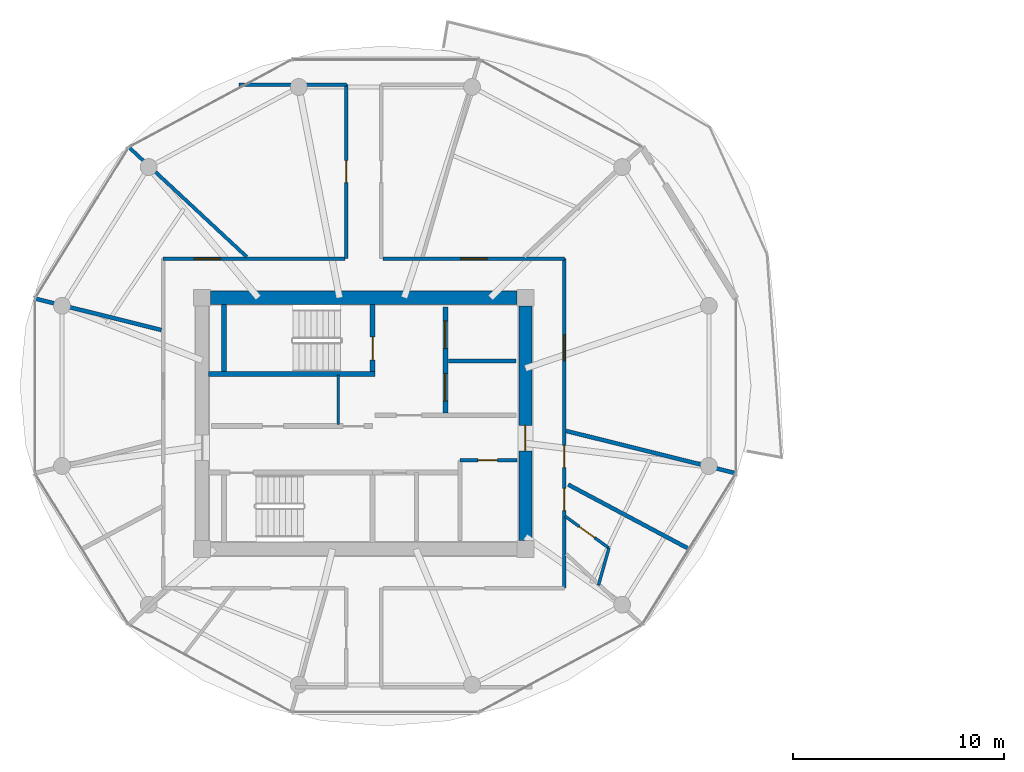
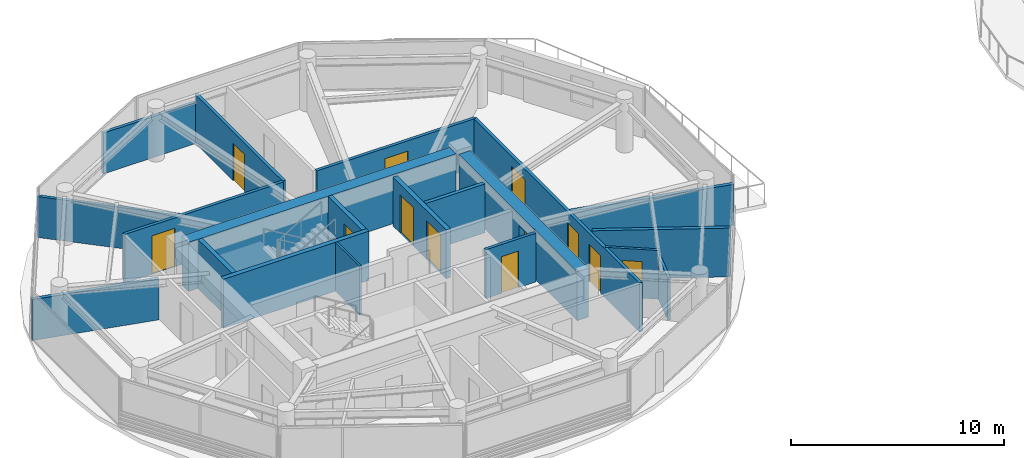
# One storey, part 14 of 22: 20 walls, 12 doors, 12 openings.
"""IFC4 building model written with IfcOpenShell, lengths in metres."""

from ifc_helpers import new_model, si_unit, direction, frame, frame_2d, origin, place, context, subcontext, project, spatial, rectangle, extrude, source, transform, mapped, material, layer, layer_set, type_object, type_shapes, element, fill, save


model = new_model("IFC4")

# Units and contexts
model_context = context("Model", 3, precision=1e-05, world=origin(), true_north=direction((0.0, 1.0)))
body_context = subcontext(model_context, "Body", "Model", "MODEL_VIEW")
ifc_project = project(units=[si_unit("LENGTHUNIT", "METRE"), si_unit("AREAUNIT", "SQUARE_METRE"), si_unit("VOLUMEUNIT", "CUBIC_METRE"), si_unit("PLANEANGLEUNIT", "RADIAN"), si_unit("MASSUNIT", "GRAM", prefix="KILO")], contexts=[model_context])

# Site, building, storey
site_placement = place(None, origin())
site = spatial("IfcSite", under=ifc_project, at=site_placement, CompositionType="ELEMENT")
building_placement = place(site_placement, origin())
building = spatial("IfcBuilding", under=site, at=building_placement, Name="Norrkilde Senior Care Towers", CompositionType="ELEMENT")
storey_placement = place(building_placement, frame((0.0, 0.0, 137.35009765625)))
storey = spatial("IfcBuildingStorey", under=building, at=storey_placement, Name="L42", CompositionType="ELEMENT", Elevation=137.35009765625)

# Wall
ifc_material_1 = material(Name="Concrete C50/60", Category="concrete")
ifc_layer_1 = layer(ifc_material_1, 0.6201171875)
ifc_layer_set_1 = layer_set([ifc_layer_1], Name="Concrete C50/60")
wall_type_1 = type_object("IfcWallType", Name="Core Shear Wall Z3 620", PredefinedType="SHEAR", material=ifc_layer_set_1)
shared_shape_1 = source(origin(), body_context, "Body", "SweptSolid", [
    extrude(rectangle(XDim=14.5, YDim=0.6201171875, at=frame_2d((7.25, 0.0))), origin(), (0.0, 0.0, 1.0), 2.809814453125),
])
wall_1_placement = place(storey_placement, frame((-35.25, 5.949951171875, 0.0), z_axis=(0.0, 0.0, 1.0), x_axis=(1.0, 0.0, 0.0)))
element("IfcWall", 1, at=wall_1_placement, inside=storey, type_object=wall_type_1, Name="L42 Core W North Shear Wall", PredefinedType="SHEAR", context=body_context, shape_type="MappedRepresentation", body=[
    mapped(shared_shape_1, transform((0.0, 0.0, 0.0), x_axis=(1.0, 0.0, 0.0), y_axis=(0.0, 1.0, 0.0), z_axis=(0.0, 0.0, 1.0), scale=1.0)),
])

# Wall, opening, door
shared_shape_2 = source(origin(), body_context, "Body", "SweptSolid", [
    extrude(rectangle(XDim=11.10009765625, YDim=0.6201171875, at=frame_2d((5.550048828125, 0.0))), origin(), (0.0, 0.0, 1.0), 2.809814453125),
])
type_shapes(wall_type_1, [shared_shape_1, shared_shape_2])
wall_2_placement = place(storey_placement, frame((-20.35009765625, 5.550048828125, 0.0), z_axis=(0.0, 0.0, 1.0), x_axis=(0.0, -1.0, 0.0)))
wall_2 = element("IfcWall", 2, at=wall_2_placement, inside=storey, type_object=wall_type_1, Name="L42 Core W East Shear Wall", PredefinedType="SHEAR", context=body_context, shape_type="MappedRepresentation", body=[
    mapped(shared_shape_2, transform((0.0, 0.0, 0.0), x_axis=(1.0, 0.0, 0.0), y_axis=(0.0, 1.0, 0.0), z_axis=(0.0, 0.0, 1.0), scale=1.0)),
])
opening_1_placement = place(wall_2_placement, frame((5.64990234375, 0.0, 0.0)))
opening_1 = element("IfcOpeningElement", 3, at=opening_1_placement, cuts=wall_2, Name="Opening D-04", PredefinedType="OPENING", context=body_context, shape_type="SweptSolid", body=[
    extrude(rectangle(XDim=1.199951171875, YDim=2.14990234375, at=frame_2d((0.60009765625, 1.074951171875))), frame((0.0, 0.320068359375, 0.0), z_axis=(0.0, -1.0, 0.0), x_axis=(1.0, 0.0, 0.0)), (0.0, 0.0, 1.0), 0.64013671875),
])
ifc_material_2 = material(Name="Galvanised Painted Steel", Category="steel")
door_type_1 = type_object("IfcDoorType", Name="Firefighting Lobby Fire Door 1200x2150", OperationType="NOTDEFINED", PredefinedType="DOOR", material=ifc_material_2)
shared_shape_3 = source(origin(), body_context, "Body", "SweptSolid", [
    extrude(rectangle(XDim=1.199951171875, YDim=2.14990234375, at=frame_2d((0.60009765625, 1.074951171875))), frame((0.0, 0.02490234375, 0.0), z_axis=(0.0, -1.0, 0.0), x_axis=(1.0, 0.0, 0.0)), (0.0, 0.0, 1.0), 0.050048828125),
])
type_shapes(door_type_1, [shared_shape_3])
door_1_placement = place(opening_1_placement, frame((1.199951171875, 0.0, 0.0), z_axis=(0.0, 0.0, 1.0), x_axis=(-1.0, 0.0, 0.0)))
door_1 = element("IfcDoor", 4, at=door_1_placement, inside=storey, type_object=door_type_1, Name="L42 Core W East Portal Door", OperationType="SINGLE_SWING_RIGHT", OverallHeight=2.14990234375, OverallWidth=1.199951171875, PredefinedType="DOOR", context=body_context, shape_type="MappedRepresentation", body=[
    mapped(shared_shape_3, transform((0.0, 0.0, 0.0), x_axis=(1.0, 0.0, 0.0), y_axis=(0.0, 1.0, 0.0), z_axis=(0.0, 0.0, 1.0), scale=1.0)),
])
fill(opening_1, door_1)

# Wall, openings, doors
ifc_material_3 = material(Name="Concrete C45/55", Category="concrete")
ifc_layer_2 = layer(ifc_material_3, 0.239990234375)
ifc_layer_set_2 = layer_set([ifc_layer_2], Name="Concrete C45/55")
wall_type_2 = type_object("IfcWallType", Name="Lift and Plant Rated Enclosure Partition 240", PredefinedType="PARTITIONING", material=ifc_layer_set_2)
shared_shape_4 = source(origin(), body_context, "Body", "SweptSolid", [
    extrude(rectangle(XDim=5.0, YDim=0.239990234375, at=frame_2d((2.5, 0.0))), origin(), (0.0, 0.0, 1.0), 2.794921875),
])
type_shapes(wall_type_2, [shared_shape_4])
wall_3_placement = place(storey_placement, frame((-24.139892578125, 0.5, 0.0), z_axis=(0.0, 0.0, 1.0), x_axis=(0.0, 1.0, 0.0)))
wall_3 = element("IfcWall", 5, at=wall_3_placement, inside=storey, type_object=wall_type_2, Name="WL-INT-L42-W-FFLE", PredefinedType="PARTITIONING", context=body_context, shape_type="MappedRepresentation", body=[
    mapped(shared_shape_4, transform((0.0, 0.0, 0.0), x_axis=(1.0, 0.0, 0.0), y_axis=(0.0, 1.0, 0.0), z_axis=(0.0, 0.0, 1.0), scale=1.0)),
])
opening_2_placement = place(wall_3_placement, frame((3.050048828125, 0.0, 0.0)))
opening_2 = element("IfcOpeningElement", 6, at=opening_2_placement, cuts=wall_3, Name="Opening LD-02", PredefinedType="OPENING", context=body_context, shape_type="SweptSolid", body=[
    extrude(rectangle(XDim=1.300048828125, YDim=2.199951171875, at=frame_2d((0.64990234375, 1.10009765625))), frame((0.0, 0.1298828125, 0.0), z_axis=(0.0, -1.0, 0.0), x_axis=(1.0, 0.0, 0.0)), (0.0, 0.0, 1.0), 0.260009765625),
])
opening_3_placement = place(wall_3_placement, frame((0.550048828125, 0.0, 0.0)))
opening_3 = element("IfcOpeningElement", 7, at=opening_3_placement, cuts=wall_3, Name="Opening LD-02", PredefinedType="OPENING", context=body_context, shape_type="SweptSolid", body=[
    extrude(rectangle(XDim=1.300048828125, YDim=2.199951171875, at=frame_2d((0.64990234375, 1.10009765625))), frame((0.0, 0.1298828125, 0.0), z_axis=(0.0, -1.0, 0.0), x_axis=(1.0, 0.0, 0.0)), (0.0, 0.0, 1.0), 0.260009765625),
])
ifc_material_4 = material(Name="Stainless Steel", Category="steel")
door_type_2 = type_object("IfcDoorType", Name="Stretcher and FFL Landing Sliding Door 1300x2200", OperationType="NOTDEFINED", PredefinedType="DOOR", material=ifc_material_4)
shared_shape_5 = source(origin(), body_context, "Body", "SweptSolid", [
    extrude(rectangle(XDim=1.300048828125, YDim=2.199951171875, at=frame_2d((0.64990234375, 1.10009765625))), frame((0.0, 0.02490234375, 0.0), z_axis=(0.0, -1.0, 0.0), x_axis=(1.0, 0.0, 0.0)), (0.0, 0.0, 1.0), 0.050048828125),
])
type_shapes(door_type_2, [shared_shape_5])
door_2_placement = place(opening_2_placement, origin())
door_2 = element("IfcDoor", 8, at=door_2_placement, inside=storey, type_object=door_type_2, Name="L42 Firefighting Lift W1 Landing Door", OperationType="SLIDING_TO_LEFT", OverallHeight=2.199951171875, OverallWidth=1.300048828125, PredefinedType="DOOR", context=body_context, shape_type="MappedRepresentation", body=[
    mapped(shared_shape_5, transform((0.0, 0.0, 0.0), x_axis=(1.0, 0.0, 0.0), y_axis=(0.0, 1.0, 0.0), z_axis=(0.0, 0.0, 1.0), scale=1.0)),
])
fill(opening_2, door_2)
door_3_placement = place(opening_3_placement, origin())
door_3 = element("IfcDoor", 9, at=door_3_placement, inside=storey, type_object=door_type_2, Name="L42 Stretcher Lift W1 Landing Door", OperationType="SLIDING_TO_RIGHT", OverallHeight=2.199951171875, OverallWidth=1.300048828125, PredefinedType="DOOR", context=body_context, shape_type="MappedRepresentation", body=[
    mapped(shared_shape_5, transform((0.0, 0.0, 0.0), x_axis=(1.0, 0.0, 0.0), y_axis=(0.0, 1.0, 0.0), z_axis=(0.0, 0.0, 1.0), scale=1.0)),
])
fill(opening_3, door_3)

# Walls
ifc_layer_3 = layer(ifc_material_3, 0.199951171875)
ifc_layer_set_3 = layer_set([ifc_layer_3], Name="Concrete C45/55")
wall_type_3 = type_object("IfcWallType", Name="Shaft Division and Plant Partition 200", PredefinedType="PARTITIONING", material=ifc_layer_set_3)
shared_shape_6 = source(origin(), body_context, "Body", "SweptSolid", [
    extrude(rectangle(XDim=3.199951171875, YDim=0.199951171875, at=frame_2d((1.60009765625, 0.0))), origin(), (0.0, 0.0, 1.0), 2.794921875),
])
type_shapes(wall_type_3, [shared_shape_6])
wall_4_placement = place(storey_placement, frame((-24.0, 2.949951171875, 0.0), z_axis=(0.0, 0.0, 1.0), x_axis=(1.0, 0.0, 0.0)))
element("IfcWall", 10, at=wall_4_placement, inside=storey, type_object=wall_type_3, Name="WL-INT-L42-W-FFLDIV", PredefinedType="PARTITIONING", context=body_context, shape_type="MappedRepresentation", body=[
    mapped(shared_shape_6, transform((0.0, 0.0, 0.0), x_axis=(1.0, 0.0, 0.0), y_axis=(0.0, 1.0, 0.0), z_axis=(0.0, 0.0, 1.0), scale=1.0)),
])
ifc_material_5 = material(Name="Gypsum Acoustic Board")
ifc_layer_4 = layer(ifc_material_5, 0.114990234375)
ifc_layer_set_4 = layer_set([ifc_layer_4], Name="Gypsum Acoustic Board")
wall_type_4 = type_object("IfcWallType", Name="Internal Room Partition 115", PredefinedType="PARTITIONING", material=ifc_layer_set_4)
shared_shape_7 = source(origin(), body_context, "Body", "SweptSolid", [
    extrude(rectangle(XDim=2.330078125, YDim=0.114990234375, at=frame_2d((1.1650390625, 0.0))), origin(), (0.0, 0.0, 1.0), 2.794921875),
])
type_shapes(wall_type_4, [shared_shape_7])
wall_5_placement = place(storey_placement, frame((-29.2099609375, -0.050048828125, 0.0), z_axis=(0.0, 0.0, 1.0), x_axis=(0.0, 1.0, 0.0)))
element("IfcWall", 11, at=wall_5_placement, inside=storey, type_object=wall_type_4, Name="WL-INT-L42-W-RISW", PredefinedType="PARTITIONING", context=body_context, shape_type="MappedRepresentation", body=[
    mapped(shared_shape_7, transform((0.0, 0.0, 0.0), x_axis=(1.0, 0.0, 0.0), y_axis=(0.0, 1.0, 0.0), z_axis=(0.0, 0.0, 1.0), scale=1.0)),
])

# Wall, opening, door
ifc_layer_5 = layer(ifc_material_5, 0.1650390625)
ifc_layer_set_5 = layer_set([ifc_layer_5], Name="Gypsum Acoustic Board")
wall_type_5 = type_object("IfcWallType", Name="Corridor Rated Partition 165", PredefinedType="PARTITIONING", material=ifc_layer_set_5)
shared_shape_8 = source(origin(), body_context, "Body", "SweptSolid", [
    extrude(rectangle(XDim=2.699951171875, YDim=0.1650390625, at=frame_2d((1.35009765625, 0.0))), origin(), (0.0, 0.0, 1.0), 2.794921875),
])
wall_6_placement = place(storey_placement, frame((-23.449951171875, -1.75, 0.0), z_axis=(0.0, 0.0, 1.0), x_axis=(1.0, 0.0, 0.0)))
wall_6 = element("IfcWall", 12, at=wall_6_placement, inside=storey, type_object=wall_type_5, Name="WL-INT-L42-W-CSN", PredefinedType="PARTITIONING", context=body_context, shape_type="MappedRepresentation", body=[
    mapped(shared_shape_8, transform((0.0, 0.0, 0.0), x_axis=(1.0, 0.0, 0.0), y_axis=(0.0, 1.0, 0.0), z_axis=(0.0, 0.0, 1.0), scale=1.0)),
])
opening_4_placement = place(wall_6_placement, frame((0.85009765625, 0.0, 0.0)))
opening_4 = element("IfcOpeningElement", 13, at=opening_4_placement, cuts=wall_6, Name="Opening D-12", PredefinedType="OPENING", context=body_context, shape_type="SweptSolid", body=[
    extrude(rectangle(XDim=0.925048828125, YDim=2.10009765625, at=frame_2d((0.46240234375, 1.050048828125))), frame((0.0, 0.092529296875, 0.0), z_axis=(0.0, -1.0, 0.0), x_axis=(1.0, 0.0, 0.0)), (0.0, 0.0, 1.0), 0.18505859375),
])
door_type_3 = type_object("IfcDoorType", Name="Core Wet Room Rated Door 925x2100", OperationType="NOTDEFINED", PredefinedType="DOOR", material=ifc_material_2)
shared_shape_9 = source(origin(), body_context, "Body", "SweptSolid", [
    extrude(rectangle(XDim=0.925048828125, YDim=2.10009765625, at=frame_2d((0.46240234375, 1.050048828125))), frame((0.0, 0.02490234375, 0.0), z_axis=(0.0, -1.0, 0.0), x_axis=(1.0, 0.0, 0.0)), (0.0, 0.0, 1.0), 0.050048828125),
])
type_shapes(door_type_3, [shared_shape_9])
door_4_placement = place(opening_4_placement, origin())
door_4 = element("IfcDoor", 14, at=door_4_placement, inside=storey, type_object=door_type_3, Name="L42 Core Utility W Door", OperationType="SINGLE_SWING_LEFT", OverallHeight=2.10009765625, OverallWidth=0.925048828125, PredefinedType="DOOR", context=body_context, shape_type="MappedRepresentation", body=[
    mapped(shared_shape_9, transform((0.0, 0.0, 0.0), x_axis=(1.0, 0.0, 0.0), y_axis=(0.0, 1.0, 0.0), z_axis=(0.0, 0.0, 1.0), scale=1.0)),
])
fill(opening_4, door_4)

shared_shape_10 = source(origin(), body_context, "Body", "SweptSolid", [
    extrude(rectangle(XDim=8.60009765625, YDim=0.1650390625, at=frame_2d((4.300048828125, 0.0))), origin(), (0.0, 0.0, 1.0), 2.794921875),
])
wall_7_placement = place(storey_placement, frame((-37.5, 7.800048828125, 0.0), z_axis=(0.0, 0.0, 1.0), x_axis=(1.0, 0.0, 0.0)))
wall_7 = element("IfcWall", 15, at=wall_7_placement, inside=storey, type_object=wall_type_5, Name="WL-INT-L42-W-CRW-N-0", PredefinedType="PARTITIONING", context=body_context, shape_type="MappedRepresentation", body=[
    mapped(shared_shape_10, transform((0.0, 0.0, 0.0), x_axis=(1.0, 0.0, 0.0), y_axis=(0.0, 1.0, 0.0), z_axis=(0.0, 0.0, 1.0), scale=1.0)),
])
opening_5_placement = place(wall_7_placement, frame((1.47119140625, 0.0, 0.0)))
opening_5 = element("IfcOpeningElement", 16, at=opening_5_placement, cuts=wall_7, Name="Opening D-05", PredefinedType="OPENING", context=body_context, shape_type="SweptSolid", body=[
    extrude(rectangle(XDim=1.25, YDim=2.199951171875, at=frame_2d((0.625, 1.10009765625))), frame((0.0, 0.092529296875, 0.0), z_axis=(0.0, -1.0, 0.0), x_axis=(1.0, 0.0, 0.0)), (0.0, 0.0, 1.0), 0.18505859375),
])
ifc_material_6 = material(Name="Nordic Ash Timber", Category="wood")
door_type_4 = type_object("IfcDoorType", Name="Care Bedroom Bariatric Door 1250x2200", OperationType="NOTDEFINED", PredefinedType="DOOR", material=ifc_material_6)
shared_shape_11 = source(origin(), body_context, "Body", "SweptSolid", [
    extrude(rectangle(XDim=1.25, YDim=2.199951171875, at=frame_2d((0.625, 1.10009765625))), frame((0.0, 0.02490234375, 0.0), z_axis=(0.0, -1.0, 0.0), x_axis=(1.0, 0.0, 0.0)), (0.0, 0.0, 1.0), 0.050048828125),
])
type_shapes(door_type_4, [shared_shape_11])
door_5_placement = place(opening_5_placement, frame((1.25, 0.0, 0.0), z_axis=(0.0, 0.0, 1.0), x_axis=(-1.0, 0.0, 0.0)))
door_5 = element("IfcDoor", 17, at=door_5_placement, inside=storey, type_object=door_type_4, Name="L42 Sky-Garden Observatory Dining Salon L42 Door", OperationType="SINGLE_SWING_LEFT", OverallHeight=2.199951171875, OverallWidth=1.25, PredefinedType="DOOR", context=body_context, shape_type="MappedRepresentation", body=[
    mapped(shared_shape_11, transform((0.0, 0.0, 0.0), x_axis=(1.0, 0.0, 0.0), y_axis=(0.0, 1.0, 0.0), z_axis=(0.0, 0.0, 1.0), scale=1.0)),
])
fill(opening_5, door_5)

wall_8_placement = place(storey_placement, frame((-27.10009765625, 7.800048828125, 0.0), z_axis=(0.0, 0.0, 1.0), x_axis=(1.0, 0.0, 0.0)))
wall_8 = element("IfcWall", 18, at=wall_8_placement, inside=storey, type_object=wall_type_5, Name="WL-INT-L42-W-CRW-N-1", PredefinedType="PARTITIONING", context=body_context, shape_type="MappedRepresentation", body=[
    mapped(shared_shape_10, transform((0.0, 0.0, 0.0), x_axis=(1.0, 0.0, 0.0), y_axis=(0.0, 1.0, 0.0), z_axis=(0.0, 0.0, 1.0), scale=1.0)),
])
opening_6_placement = place(wall_8_placement, frame((3.688232421875, 0.0, 0.0)))
opening_6 = element("IfcOpeningElement", 19, at=opening_6_placement, cuts=wall_8, Name="Opening D-05", PredefinedType="OPENING", context=body_context, shape_type="SweptSolid", body=[
    extrude(rectangle(XDim=1.25, YDim=2.199951171875, at=frame_2d((0.625, 1.10009765625))), frame((0.0, 0.092529296875, 0.0), z_axis=(0.0, -1.0, 0.0), x_axis=(1.0, 0.0, 0.0)), (0.0, 0.0, 1.0), 0.18505859375),
])
door_6_placement = place(opening_6_placement, frame((1.25, 0.0, 0.0), z_axis=(0.0, 0.0, 1.0), x_axis=(-1.0, 0.0, 0.0)))
door_6 = element("IfcDoor", 20, at=door_6_placement, inside=storey, type_object=door_type_4, Name="L42 Household Therapeutic Kitchen Door", OperationType="SINGLE_SWING_RIGHT", OverallHeight=2.199951171875, OverallWidth=1.25, PredefinedType="DOOR", context=body_context, shape_type="MappedRepresentation", body=[
    mapped(shared_shape_11, transform((0.0, 0.0, 0.0), x_axis=(1.0, 0.0, 0.0), y_axis=(0.0, 1.0, 0.0), z_axis=(0.0, 0.0, 1.0), scale=1.0)),
])
fill(opening_6, door_6)

# Wall, openings, doors
shared_shape_12 = source(origin(), body_context, "Body", "SweptSolid", [
    extrude(rectangle(XDim=15.60009765625, YDim=0.1650390625, at=frame_2d((7.800048828125, 0.0))), origin(), (0.0, 0.0, 1.0), 2.794921875),
])
wall_9_placement = place(storey_placement, frame((-18.5, 7.800048828125, 0.0), z_axis=(0.0, 0.0, 1.0), x_axis=(0.0, -1.0, 0.0)))
wall_9 = element("IfcWall", 21, at=wall_9_placement, inside=storey, type_object=wall_type_5, Name="WL-INT-L42-W-CRW-E-0", PredefinedType="PARTITIONING", context=body_context, shape_type="MappedRepresentation", body=[
    mapped(shared_shape_12, transform((0.0, 0.0, 0.0), x_axis=(1.0, 0.0, 0.0), y_axis=(0.0, 1.0, 0.0), z_axis=(0.0, 0.0, 1.0), scale=1.0)),
])
opening_7_placement = place(wall_9_placement, frame((10.881103515625, 0.0, 0.0)))
opening_7 = element("IfcOpeningElement", 22, at=opening_7_placement, cuts=wall_9, Name="Opening D-06", PredefinedType="OPENING", context=body_context, shape_type="SweptSolid", body=[
    extrude(rectangle(XDim=1.050048828125, YDim=2.14990234375, at=frame_2d((0.52490234375, 1.074951171875))), frame((0.0, 0.092529296875, 0.0), z_axis=(0.0, -1.0, 0.0), x_axis=(1.0, 0.0, 0.0)), (0.0, 0.0, 1.0), 0.18505859375),
])
opening_8_placement = place(wall_9_placement, frame((8.844482421875, 0.0, 0.0)))
opening_8 = element("IfcOpeningElement", 23, at=opening_8_placement, cuts=wall_9, Name="Opening D-06", PredefinedType="OPENING", context=body_context, shape_type="SweptSolid", body=[
    extrude(rectangle(XDim=1.050048828125, YDim=2.14990234375, at=frame_2d((0.52490234375, 1.074951171875))), frame((0.0, 0.092529296875, 0.0), z_axis=(0.0, -1.0, 0.0), x_axis=(1.0, 0.0, 0.0)), (0.0, 0.0, 1.0), 0.18505859375),
])
opening_9_placement = place(wall_9_placement, frame((3.595703125, 0.0, 0.0)))
opening_9 = element("IfcOpeningElement", 24, at=opening_9_placement, cuts=wall_9, Name="Opening D-05", PredefinedType="OPENING", context=body_context, shape_type="SweptSolid", body=[
    extrude(rectangle(XDim=1.25, YDim=2.199951171875, at=frame_2d((0.625, 1.10009765625))), frame((0.0, 0.092529296875, 0.0), z_axis=(0.0, -1.0, 0.0), x_axis=(1.0, 0.0, 0.0)), (0.0, 0.0, 1.0), 0.18505859375),
])
door_7_placement = place(opening_9_placement, frame((1.25, 0.0, 0.0), z_axis=(0.0, 0.0, 1.0), x_axis=(-1.0, 0.0, 0.0)))
door_7 = element("IfcDoor", 25, at=door_7_placement, inside=storey, type_object=door_type_4, Name="L42 Household Communal Dining Salon Door", OperationType="SINGLE_SWING_RIGHT", OverallHeight=2.199951171875, OverallWidth=1.25, PredefinedType="DOOR", context=body_context, shape_type="MappedRepresentation", body=[
    mapped(shared_shape_11, transform((0.0, 0.0, 0.0), x_axis=(1.0, 0.0, 0.0), y_axis=(0.0, 1.0, 0.0), z_axis=(0.0, 0.0, 1.0), scale=1.0)),
])
fill(opening_9, door_7)
door_type_5 = type_object("IfcDoorType", Name="Apartment Entrance Fire Door 1050x2150", OperationType="NOTDEFINED", PredefinedType="DOOR", material=ifc_material_6)
shared_shape_13 = source(origin(), body_context, "Body", "SweptSolid", [
    extrude(rectangle(XDim=1.050048828125, YDim=2.14990234375, at=frame_2d((0.52490234375, 1.074951171875))), frame((0.0, 0.02490234375, 0.0), z_axis=(0.0, -1.0, 0.0), x_axis=(1.0, 0.0, 0.0)), (0.0, 0.0, 1.0), 0.050048828125),
])
type_shapes(door_type_5, [shared_shape_13])
door_8_placement = place(opening_7_placement, frame((1.050048828125, 0.0, 0.0), z_axis=(0.0, 0.0, 1.0), x_axis=(-1.0, 0.0, 0.0)))
door_8 = element("IfcDoor", 26, at=door_8_placement, inside=storey, type_object=door_type_5, Name="L42 Care Suite 4210A Entrance Door", OperationType="SINGLE_SWING_LEFT", OverallHeight=2.14990234375, OverallWidth=1.050048828125, PredefinedType="DOOR", context=body_context, shape_type="MappedRepresentation", body=[
    mapped(shared_shape_13, transform((0.0, 0.0, 0.0), x_axis=(1.0, 0.0, 0.0), y_axis=(0.0, 1.0, 0.0), z_axis=(0.0, 0.0, 1.0), scale=1.0)),
])
fill(opening_7, door_8)
door_9_placement = place(opening_8_placement, frame((1.050048828125, 0.0, 0.0), z_axis=(0.0, 0.0, 1.0), x_axis=(-1.0, 0.0, 0.0)))
door_9 = element("IfcDoor", 27, at=door_9_placement, inside=storey, type_object=door_type_5, Name="L42 Therapy Day Lounge 10 Door", OperationType="SINGLE_SWING_RIGHT", OverallHeight=2.14990234375, OverallWidth=1.050048828125, PredefinedType="DOOR", context=body_context, shape_type="MappedRepresentation", body=[
    mapped(shared_shape_13, transform((0.0, 0.0, 0.0), x_axis=(1.0, 0.0, 0.0), y_axis=(0.0, 1.0, 0.0), z_axis=(0.0, 0.0, 1.0), scale=1.0)),
])
fill(opening_8, door_9)

# Wall
shared_shape_14 = source(origin(), body_context, "Body", "SweptSolid", [
    extrude(rectangle(XDim=7.64794921875, YDim=0.1650390625, at=frame_2d((3.823974609375, 0.0))), origin(), (0.0, 0.0, 1.0), 2.344970703125),
])
wall_10_placement = place(storey_placement, frame((-33.53759765625, 7.8798828125, 0.0), z_axis=(0.0, 0.0, 1.0), x_axis=(-0.732167856666, 0.681124239522, 0.0)))
element("IfcWall", 28, at=wall_10_placement, inside=storey, type_object=wall_type_5, Name="WL-INT-L42-W-DEM-04-0", PredefinedType="PARTITIONING", context=body_context, shape_type="MappedRepresentation", body=[
    mapped(shared_shape_14, transform((0.0, 0.0, 0.0), x_axis=(1.0, 0.0, 0.0), y_axis=(0.0, 1.0, 0.0), z_axis=(0.0, 0.0, 1.0), scale=1.0)),
])

# Wall, opening, door
shared_shape_15 = source(origin(), body_context, "Body", "SweptSolid", [
    extrude(rectangle(XDim=8.2353515625, YDim=0.1650390625, at=frame_2d((4.11767578125, 0.0))), origin(), (0.0, 0.0, 1.0), 2.794921875),
])
wall_11_placement = place(storey_placement, frame((-28.820068359375, 7.800048828125, 0.0), z_axis=(0.0, 0.0, 1.0), x_axis=(0.0, 1.0, 0.0)))
wall_11 = element("IfcWall", 29, at=wall_11_placement, inside=storey, type_object=wall_type_5, Name="WL-INT-L42-W-PKW-NWL", PredefinedType="PARTITIONING", context=body_context, shape_type="MappedRepresentation", body=[
    mapped(shared_shape_15, transform((0.0, 0.0, 0.0), x_axis=(1.0, 0.0, 0.0), y_axis=(0.0, 1.0, 0.0), z_axis=(0.0, 0.0, 1.0), scale=1.0)),
])
opening_10_placement = place(wall_11_placement, frame((3.5927734375, 0.0, 0.0)))
opening_10 = element("IfcOpeningElement", 30, at=opening_10_placement, cuts=wall_11, Name="Opening D-06", PredefinedType="OPENING", context=body_context, shape_type="SweptSolid", body=[
    extrude(rectangle(XDim=1.050048828125, YDim=2.14990234375, at=frame_2d((0.52490234375, 1.074951171875))), frame((0.0, 0.092529296875, 0.0), z_axis=(0.0, -1.0, 0.0), x_axis=(1.0, 0.0, 0.0)), (0.0, 0.0, 1.0), 0.18505859375),
])
door_10_placement = place(opening_10_placement, frame((1.050048828125, 0.0, 0.0), z_axis=(0.0, 0.0, 1.0), x_axis=(-1.0, 0.0, 0.0)))
door_10 = element("IfcDoor", 31, at=door_10_placement, inside=storey, type_object=door_type_5, Name="L42 Reading Lounge NWL Door", OperationType="SINGLE_SWING_RIGHT", OverallHeight=2.14990234375, OverallWidth=1.050048828125, PredefinedType="DOOR", context=body_context, shape_type="MappedRepresentation", body=[
    mapped(shared_shape_13, transform((0.0, 0.0, 0.0), x_axis=(1.0, 0.0, 0.0), y_axis=(0.0, 1.0, 0.0), z_axis=(0.0, 0.0, 1.0), scale=1.0)),
])
fill(opening_10, door_10)

# Walls
shared_shape_16 = source(origin(), body_context, "Body", "SweptSolid", [
    extrude(rectangle(XDim=5.0888671875, YDim=0.1650390625, at=frame_2d((2.54443359375, 0.0))), origin(), (0.0, 0.0, 1.0), 2.344970703125),
])
type_shapes(wall_type_5, [shared_shape_8, shared_shape_10, shared_shape_12, shared_shape_14, shared_shape_15, shared_shape_16])
wall_12_placement = place(storey_placement, frame((-33.908935546875, 16.035400390625, 0.0), z_axis=(0.0, 0.0, 1.0), x_axis=(1.0, 0.0, 0.0)))
element("IfcWall", 32, at=wall_12_placement, inside=storey, type_object=wall_type_5, Name="WL-INT-L42-W-PKH-NWL-0", PredefinedType="PARTITIONING", context=body_context, shape_type="MappedRepresentation", body=[
    mapped(shared_shape_16, transform((0.0, 0.0, 0.0), x_axis=(1.0, 0.0, 0.0), y_axis=(0.0, 1.0, 0.0), z_axis=(0.0, 0.0, 1.0), scale=1.0)),
])
ifc_layer_6 = layer(ifc_material_5, 0.18994140625)
ifc_layer_set_6 = layer_set([ifc_layer_6], Name="Gypsum Acoustic Board")
wall_type_6 = type_object("IfcWallType", Name="Unit Demising Acoustic Wall 190", PredefinedType="PARTITIONING", material=ifc_layer_set_6)
shared_shape_17 = source(origin(), body_context, "Body", "SweptSolid", [
    extrude(rectangle(XDim=6.192626953125, YDim=0.18994140625, at=frame_2d((3.09619140625, 0.0))), origin(), (0.0, 0.0, 1.0), 2.344970703125),
])
wall_13_placement = place(storey_placement, frame((-37.580078125, 4.418701171875, 0.0), z_axis=(0.0, 0.0, 1.0), x_axis=(-0.970309243466, 0.241867674657, 0.0)))
element("IfcWall", 33, at=wall_13_placement, inside=storey, type_object=wall_type_6, Name="WL-INT-L42-W-DEM-05-0", PredefinedType="PARTITIONING", context=body_context, shape_type="MappedRepresentation", body=[
    mapped(shared_shape_17, transform((0.0, 0.0, 0.0), x_axis=(1.0, 0.0, 0.0), y_axis=(0.0, 1.0, 0.0), z_axis=(0.0, 0.0, 1.0), scale=1.0)),
])
shared_shape_18 = source(origin(), body_context, "Body", "SweptSolid", [
    extrude(rectangle(XDim=8.305419921875, YDim=0.18994140625, at=frame_2d((4.15283203125, 0.0))), origin(), (0.0, 0.0, 1.0), 2.344970703125),
])
wall_14_placement = place(storey_placement, frame((-18.419921875, -0.35693359375, 0.0), z_axis=(0.0, 0.0, 1.0), x_axis=(0.970309994378, -0.241864662175, 0.0)))
element("IfcWall", 34, at=wall_14_placement, inside=storey, type_object=wall_type_6, Name="WL-INT-L42-W-DEM-11-0", PredefinedType="PARTITIONING", context=body_context, shape_type="MappedRepresentation", body=[
    mapped(shared_shape_18, transform((0.0, 0.0, 0.0), x_axis=(1.0, 0.0, 0.0), y_axis=(0.0, 1.0, 0.0), z_axis=(0.0, 0.0, 1.0), scale=1.0)),
])
shared_shape_19 = source(origin(), body_context, "Body", "SweptSolid", [
    extrude(rectangle(XDim=6.499267578125, YDim=0.18994140625, at=frame_2d((3.24951171875, 0.0))), origin(), (0.0, 0.0, 1.0), 2.794921875),
])
type_shapes(wall_type_6, [shared_shape_17, shared_shape_18, shared_shape_19])
wall_15_placement = place(storey_placement, frame((-18.32373046875, -2.89794921875, 0.0), z_axis=(0.0, 0.0, 1.0), x_axis=(0.882700013711, -0.469936895545, 0.0)))
element("IfcWall", 35, at=wall_15_placement, inside=storey, type_object=wall_type_6, Name="WL-INT-L42-W-CMID-10", PredefinedType="PARTITIONING", context=body_context, shape_type="MappedRepresentation", body=[
    mapped(shared_shape_19, transform((0.0, 0.0, 0.0), x_axis=(1.0, 0.0, 0.0), y_axis=(0.0, 1.0, 0.0), z_axis=(0.0, 0.0, 1.0), scale=1.0)),
])

# Wall, opening, door
ifc_layer_7 = layer(ifc_material_5, 0.139892578125)
ifc_layer_set_7 = layer_set([ifc_layer_7], Name="Gypsum Acoustic Board")
wall_type_7 = type_object("IfcWallType", Name="En-suite Wet Room Wall 140", PredefinedType="PARTITIONING", material=ifc_layer_set_7)
shared_shape_20 = source(origin(), body_context, "Body", "SweptSolid", [
    extrude(rectangle(XDim=2.563232421875, YDim=0.139892578125, at=frame_2d((1.28173828125, 0.0))), origin(), (0.0, 0.0, 1.0), 2.794921875),
])
wall_16_placement = place(storey_placement, frame((-18.469970703125, -4.39697265625, 0.0), z_axis=(0.0, 0.0, 1.0), x_axis=(0.809308208957, -0.587384220859, 0.0)))
wall_16 = element("IfcWall", 36, at=wall_16_placement, inside=storey, type_object=wall_type_7, Name="WL-INT-L42-W-ES-10A", PredefinedType="PARTITIONING", context=body_context, shape_type="MappedRepresentation", body=[
    mapped(shared_shape_20, transform((0.0, 0.0, 0.0), x_axis=(1.0, 0.0, 0.0), y_axis=(0.0, 1.0, 0.0), z_axis=(0.0, 0.0, 1.0), scale=1.0)),
])
opening_11_placement = place(wall_16_placement, frame((0.821533203125, 0.0, 0.0)))
opening_11 = element("IfcOpeningElement", 37, at=opening_11_placement, cuts=wall_16, Name="Opening D-08", PredefinedType="OPENING", context=body_context, shape_type="SweptSolid", body=[
    extrude(rectangle(XDim=0.919921875, YDim=2.10009765625, at=frame_2d((0.4599609375, 1.050048828125))), frame((0.0, 0.079833984375, 0.0), z_axis=(0.0, -1.0, 0.0), x_axis=(1.0, 0.0, 0.0)), (0.0, 0.0, 1.0), 0.159912109375),
])
door_type_6 = type_object("IfcDoorType", Name="Accessible Wet Room Door 920x2100", OperationType="NOTDEFINED", PredefinedType="DOOR", material=ifc_material_6)
shared_shape_21 = source(origin(), body_context, "Body", "SweptSolid", [
    extrude(rectangle(XDim=0.919921875, YDim=2.10009765625, at=frame_2d((0.4599609375, 1.050048828125))), frame((0.0, 0.02490234375, 0.0), z_axis=(0.0, -1.0, 0.0), x_axis=(1.0, 0.0, 0.0)), (0.0, 0.0, 1.0), 0.050048828125),
])
type_shapes(door_type_6, [shared_shape_21])
door_11_placement = place(opening_11_placement, origin())
door_11 = element("IfcDoor", 38, at=door_11_placement, inside=storey, type_object=door_type_6, Name="L42 Care Suite 4210A Bathroom Door", OperationType="SINGLE_SWING_RIGHT", OverallHeight=2.10009765625, OverallWidth=0.919921875, PredefinedType="DOOR", context=body_context, shape_type="MappedRepresentation", body=[
    mapped(shared_shape_21, transform((0.0, 0.0, 0.0), x_axis=(1.0, 0.0, 0.0), y_axis=(0.0, 1.0, 0.0), z_axis=(0.0, 0.0, 1.0), scale=1.0)),
])
fill(opening_11, door_11)

# Walls
ifc_layer_8 = layer(ifc_material_3, 0.239990234375)
ifc_layer_set_8 = layer_set([ifc_layer_8], Name="Concrete C45/55")
wall_type_8 = type_object("IfcWallType", Name="Shaft and Stair Enclosure Wall 240", PredefinedType="PARTITIONING", material=ifc_layer_set_8)
shared_shape_22 = source(origin(), body_context, "Body", "SweptSolid", [
    extrude(rectangle(XDim=7.880126953125, YDim=0.239990234375, at=frame_2d((3.93994140625, 0.0))), origin(), (0.0, 0.0, 1.0), 2.809814453125),
])
wall_17_placement = place(storey_placement, frame((-35.340087890625, 2.330078125, 0.0), z_axis=(0.0, 0.0, 1.0), x_axis=(1.0, 0.0, 0.0)))
element("IfcWall", 39, at=wall_17_placement, inside=storey, type_object=wall_type_8, Name="WL-INT-L42-W-ST1S", PredefinedType="PARTITIONING", context=body_context, shape_type="MappedRepresentation", body=[
    mapped(shared_shape_22, transform((0.0, 0.0, 0.0), x_axis=(1.0, 0.0, 0.0), y_axis=(0.0, 1.0, 0.0), z_axis=(0.0, 0.0, 1.0), scale=1.0)),
])
shared_shape_23 = source(origin(), body_context, "Body", "SweptSolid", [
    extrude(rectangle(XDim=3.18994140625, YDim=0.239990234375, at=frame_2d((1.594970703125, 0.0))), origin(), (0.0, 0.0, 1.0), 2.809814453125),
])
type_shapes(wall_type_8, [shared_shape_22, shared_shape_23])
wall_18_placement = place(storey_placement, frame((-34.6201171875, 2.449951171875, 0.0), z_axis=(0.0, 0.0, 1.0), x_axis=(0.0, 1.0, 0.0)))
element("IfcWall", 40, at=wall_18_placement, inside=storey, type_object=wall_type_8, Name="WL-INT-L42-W-ST1W", PredefinedType="PARTITIONING", context=body_context, shape_type="MappedRepresentation", body=[
    mapped(shared_shape_23, transform((0.0, 0.0, 0.0), x_axis=(1.0, 0.0, 0.0), y_axis=(0.0, 1.0, 0.0), z_axis=(0.0, 0.0, 1.0), scale=1.0)),
])

# Wall, opening, door
wall_19_placement = place(storey_placement, frame((-27.580078125, 2.449951171875, 0.0), z_axis=(0.0, 0.0, 1.0), x_axis=(0.0, 1.0, 0.0)))
wall_19 = element("IfcWall", 41, at=wall_19_placement, inside=storey, type_object=wall_type_8, Name="WL-INT-L42-W-ST1E", PredefinedType="PARTITIONING", context=body_context, shape_type="MappedRepresentation", body=[
    mapped(shared_shape_23, transform((0.0, 0.0, 0.0), x_axis=(1.0, 0.0, 0.0), y_axis=(0.0, 1.0, 0.0), z_axis=(0.0, 0.0, 1.0), scale=1.0)),
])
opening_12_placement = place(wall_19_placement, frame((0.550048828125, 0.0, 0.0)))
opening_12 = element("IfcOpeningElement", 42, at=opening_12_placement, cuts=wall_19, Name="Opening D-03", PredefinedType="OPENING", context=body_context, shape_type="SweptSolid", body=[
    extrude(rectangle(XDim=1.10009765625, YDim=2.14990234375, at=frame_2d((0.550048828125, 1.074951171875))), frame((0.0, 0.1298828125, 0.0), z_axis=(0.0, -1.0, 0.0), x_axis=(1.0, 0.0, 0.0)), (0.0, 0.0, 1.0), 0.260009765625),
])
door_type_7 = type_object("IfcDoorType", Name="Stairwell Protected Fire Door 1100x2150", OperationType="NOTDEFINED", PredefinedType="DOOR", material=ifc_material_2)
shared_shape_24 = source(origin(), body_context, "Body", "SweptSolid", [
    extrude(rectangle(XDim=1.10009765625, YDim=2.14990234375, at=frame_2d((0.550048828125, 1.074951171875))), frame((0.0, 0.02490234375, 0.0), z_axis=(0.0, -1.0, 0.0), x_axis=(1.0, 0.0, 0.0)), (0.0, 0.0, 1.0), 0.050048828125),
])
type_shapes(door_type_7, [shared_shape_24])
door_12_placement = place(opening_12_placement, origin())
door_12 = element("IfcDoor", 43, at=door_12_placement, inside=storey, type_object=door_type_7, Name="L42 Stair W1 Fire Door", OperationType="SINGLE_SWING_LEFT", OverallHeight=2.14990234375, OverallWidth=1.10009765625, PredefinedType="DOOR", context=body_context, shape_type="MappedRepresentation", body=[
    mapped(shared_shape_24, transform((0.0, 0.0, 0.0), x_axis=(1.0, 0.0, 0.0), y_axis=(0.0, 1.0, 0.0), z_axis=(0.0, 0.0, 1.0), scale=1.0)),
])
fill(opening_12, door_12)

# Wall
shared_shape_25 = source(origin(), body_context, "Body", "SweptSolid", [
    extrude(rectangle(XDim=1.825927734375, YDim=0.139892578125, at=frame_2d((0.9130859375, 0.0))), origin(), (0.0, 0.0, 1.0), 2.434814453125),
])
type_shapes(wall_type_7, [shared_shape_20, shared_shape_25])
wall_20_placement = place(storey_placement, frame((-16.3955078125, -5.902587890625, 0.0), z_axis=(0.0, 0.0, 1.0), x_axis=(-0.270745576918, -0.962650940154, 0.0)))
element("IfcWall", 44, at=wall_20_placement, inside=storey, type_object=wall_type_7, Name="WL-INT-L42-W-EF-10A", PredefinedType="PARTITIONING", context=body_context, shape_type="MappedRepresentation", body=[
    mapped(shared_shape_25, transform((0.0, 0.0, 0.0), x_axis=(1.0, 0.0, 0.0), y_axis=(0.0, 1.0, 0.0), z_axis=(0.0, 0.0, 1.0), scale=1.0)),
])

save(model, "model.ifc")
